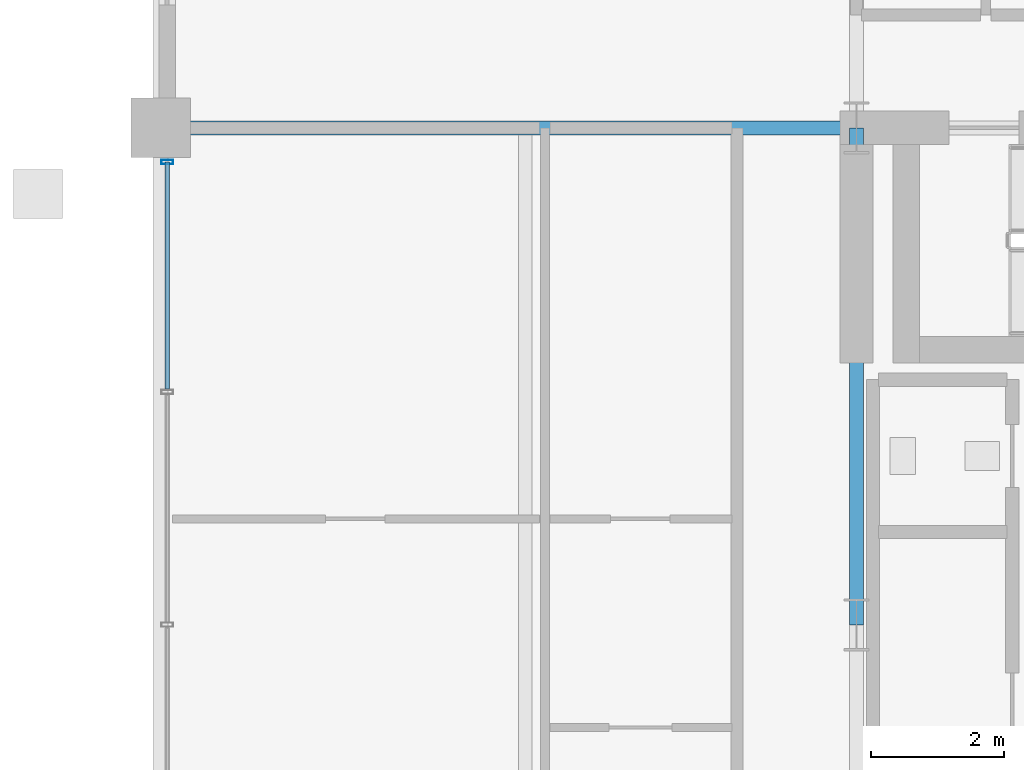
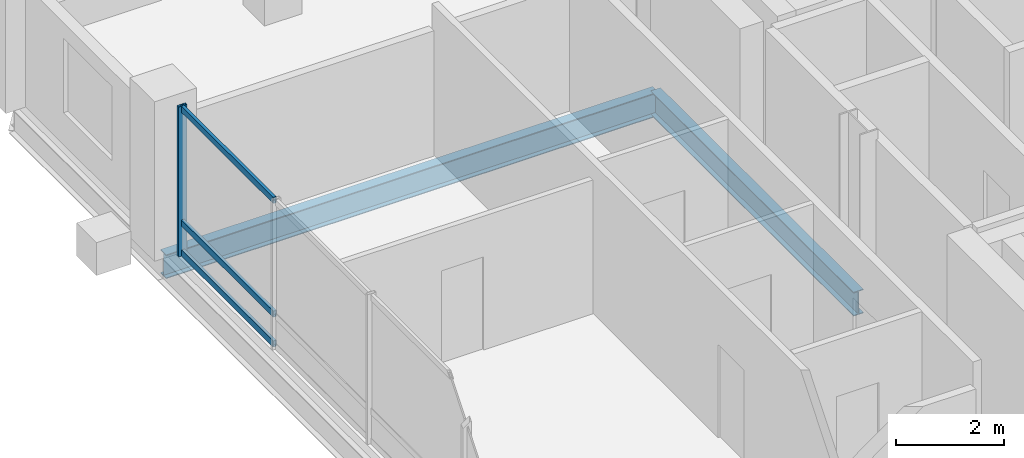
# One storey, part 8 of 21: 4 members, 2 beams, 1 element without a shape of its own.
"""IFC4 building model written with IfcOpenShell, lengths in metres."""

import ifcopenshell
import ifcopenshell.guid

model = None  # the IFC model being written
_history = None  # IfcOwnerHistory: only IFC2X3 demands one
_inside = {}  # id of a spatial element -> (the spatial element, [elements in it])
_under = {}  # id of a project, library or spatial element -> (it, [spatial elements below it])
_declared = {}  # id of a project -> (the project, [libraries it declares])
_typed = {}  # id of a type object -> (the type object, [elements of that type])
_made_of = {}  # id of a material, layer set ... -> (it, [elements and type objects made of it])


def new_model(schema):
    """Start an empty IFC model of exactly this schema.

    Asked for "IFC4X3", IfcOpenShell would pick the latest addendum, in which some entities
    have other attributes; the version numbers below select the first issue.
    IFC2X3 requires an IfcOwnerHistory on every rooted entity: one is made here for all.
    """
    global model, _history
    if schema == "IFC4X3":
        model = ifcopenshell.file(schema_version=(4, 3, 0, 0))
    else:
        model = ifcopenshell.file(schema=schema)
    _inside.clear()
    _under.clear()
    _declared.clear()
    _typed.clear()
    _made_of.clear()
    _history = None
    if model.schema == "IFC2X3":
        org = make("IfcOrganization", Name="unknown")
        user = make(
            "IfcPersonAndOrganization",
            ThePerson=make("IfcPerson", FamilyName="unknown"),
            TheOrganization=org,
        )
        app = make(
            "IfcApplication",
            ApplicationDeveloper=org,
            Version="unknown",
            ApplicationFullName="unknown",
            ApplicationIdentifier="unknown",
        )
        _history = make(
            "IfcOwnerHistory",
            OwningUser=user,
            OwningApplication=app,
            ChangeAction="ADDED",
            CreationDate=0,
        )
    return model


def make(cls, **values):
    """One entity of the class cls with the attributes given. An attribute that is None is left unset."""
    return model.create_entity(
        cls, **{name: value for name, value in values.items() if value is not None}
    )


def rooted(cls, **values):
    """An entity with a GlobalId (a new one), such as an element, a storey or a relation."""
    return make(cls, GlobalId=ifcopenshell.guid.new(), OwnerHistory=_history, **values)


def si_unit(unit_type, name, prefix=None):
    """IfcSIUnit, for example si_unit("LENGTHUNIT", "METRE", prefix="MILLI")."""
    return make("IfcSIUnit", UnitType=unit_type, Prefix=prefix, Name=name)


def assignment(units):
    """IfcUnitAssignment: the units of a project."""
    return None if units is None else make("IfcUnitAssignment", Units=units)


def point(xyz):
    """IfcCartesianPoint."""
    return None if xyz is None else make("IfcCartesianPoint", Coordinates=xyz)


def direction(xyz):
    """IfcDirection."""
    return None if xyz is None else make("IfcDirection", DirectionRatios=xyz)


def frame(location, z_axis=None, x_axis=None):
    """IfcAxis2Placement3D, a coordinate frame: its origin and axes. An axis left out is left unset."""
    return make(
        "IfcAxis2Placement3D",
        Location=point(location),
        Axis=direction(z_axis),
        RefDirection=direction(x_axis),
    )


def frame_2d(location, x_axis=None):
    """IfcAxis2Placement2D, a coordinate frame in the plane: its origin and x axis."""
    return make(
        "IfcAxis2Placement2D", Location=point(location), RefDirection=direction(x_axis)
    )


def origin():
    """The frame at (0, 0, 0) with its axes left unset."""
    return frame((0.0, 0.0, 0.0))


def origin_2d():
    """The frame at (0, 0) in the plane with its x axis left unset."""
    return frame_2d((0.0, 0.0))


def place(relative_to, where):
    """IfcLocalPlacement: puts the frame where relative to a parent placement (None: the world)."""
    return make(
        "IfcLocalPlacement", PlacementRelTo=relative_to, RelativePlacement=where
    )


def context(
    kind, dimensions, precision=None, world=None, true_north=None, identifier=None
):
    """IfcGeometricRepresentationContext, for example the 3D "Model" context."""
    return make(
        "IfcGeometricRepresentationContext",
        ContextIdentifier=identifier,
        ContextType=kind,
        CoordinateSpaceDimension=dimensions,
        Precision=precision,
        WorldCoordinateSystem=world,
        TrueNorth=true_north,
    )


def subcontext(parent, identifier, kind, view, scale=None):
    """IfcGeometricRepresentationSubContext, for example "Body" below "Model"."""
    return make(
        "IfcGeometricRepresentationSubContext",
        ContextIdentifier=identifier,
        ContextType=kind,
        ParentContext=parent,
        TargetScale=scale,
        TargetView=view,
    )


def project(units=None, contexts=None):
    """IfcProject with its units and contexts."""
    return rooted(
        "IfcProject",
        Name="project",
        RepresentationContexts=contexts,
        UnitsInContext=assignment(units),
    )


def spatial(cls, under=None, at=None, **own):
    """A site, building, storey or space (cls), placed at a placement, below another one or the project."""
    s = rooted(cls, ObjectPlacement=at, **own)
    if under is not None:
        _under.setdefault(under.id(), (under, []))[1].append(s)
    return s


def profile(cls, at=None, kind="AREA", **sizes):
    """A parametric profile (cls). Its sizes go by their IFC names, for example OverallWidth=200.0."""
    return make(cls, ProfileType=kind, Position=at, **sizes)


def hollow_rectangle(**sizes):
    """IfcRectangleHollowProfileDef."""
    return profile("IfcRectangleHollowProfileDef", **sizes)


def i_section(**sizes):
    """IfcIShapeProfileDef."""
    return profile("IfcIShapeProfileDef", **sizes)


def extrude(swept, where, along, depth):
    """IfcExtrudedAreaSolid: the profile swept, set in the frame where, extruded along a direction by depth."""
    return make(
        "IfcExtrudedAreaSolid",
        SweptArea=swept,
        Position=where,
        ExtrudedDirection=direction(along),
        Depth=depth,
    )


def shape(context_of_items, identifier, shape_type, items):
    """IfcShapeRepresentation: the items that make up one representation, for example the "Body"."""
    return make(
        "IfcShapeRepresentation",
        ContextOfItems=context_of_items,
        RepresentationIdentifier=identifier,
        RepresentationType=shape_type,
        Items=items,
    )


def material(Name=None, Category=None):
    """IfcMaterial."""
    return make("IfcMaterial", Name=Name, Category=Category)


def layer(
    of_material, thickness, ventilated=None, Name=None, Category=None, Priority=None
):
    """IfcMaterialLayer: one layer of a wall or slab, of a material (None: an air gap)."""
    return make(
        "IfcMaterialLayer",
        Material=of_material,
        LayerThickness=thickness,
        IsVentilated=ventilated,
        Name=Name,
        Category=Category,
        Priority=Priority,
    )


def layer_set(layers, Name=None):
    """IfcMaterialLayerSet."""
    return make("IfcMaterialLayerSet", MaterialLayers=layers, LayerSetName=Name)


def material_profile(
    of_material, cross_section, Name=None, Category=None, Priority=None
):
    """IfcMaterialProfile: a cross section and its material."""
    return make(
        "IfcMaterialProfile",
        Name=Name,
        Material=of_material,
        Profile=cross_section,
        Priority=Priority,
        Category=Category,
    )


def profile_set(profiles, Name=None, composite=None):
    """IfcMaterialProfileSet."""
    return make(
        "IfcMaterialProfileSet",
        Name=Name,
        MaterialProfiles=profiles,
        CompositeProfile=composite,
    )


def made_of(thing, what):
    """Note that an element or type object is made of a material, layer set ...; save() writes the relation."""
    if what is not None:
        _made_of.setdefault(what.id(), (what, []))[1].append(thing)
    return thing


def type_object(cls, material=None, **own):
    """A type object (cls), such as IfcWallType, which elements share."""
    return made_of(rooted(cls, **own), material)


def element(
    cls,
    number,
    at=None,
    inside=None,
    cuts=None,
    type_object=None,
    material=None,
    context=None,
    identifier="Body",
    shape_type=None,
    held_by="IfcProductDefinitionShape",
    body=None,
    shapes=None,
    **own,
):
    """One element of the class cls, such as IfcWall. Its Tag is "e" and its number.

    at: its placement. inside: the storey or other place that contains it. cuts: it is an
    opening in that element (IfcRelVoidsElement). A single representation is given by context,
    identifier, shape_type and body (its items); several are given by shapes. held_by: the class
    of the entity that holds the representations. save() writes the other relations.
    """
    e = rooted(cls, Tag="e%d" % number, ObjectPlacement=at, **own)
    if body is not None:
        shapes = [shape(context, identifier, shape_type, body)]
    if shapes is not None:
        e.Representation = make(held_by, Representations=shapes)
    if inside is not None:
        _inside.setdefault(inside.id(), (inside, []))[1].append(e)
    if cuts is not None:
        rooted(
            "IfcRelVoidsElement", RelatingBuildingElement=cuts, RelatedOpeningElement=e
        )
    if type_object is not None:
        _typed.setdefault(type_object.id(), (type_object, []))[1].append(e)
    return made_of(e, material)


def aggregate(whole, parts):
    """IfcRelAggregates: a whole, such as a stair, and the parts it consists of."""
    return rooted("IfcRelAggregates", RelatingObject=whole, RelatedObjects=parts)


def save(model, path):
    """Write the relations noted so far, then the file.

    IfcRelAggregates (storeys below a building ...), IfcRelContainedInSpatialStructure (elements
    in a storey), IfcRelDefinesByType, IfcRelAssociatesMaterial and IfcRelDeclares: one each for
    every whole, place, type object, material and project.
    """
    for whole, parts in _under.values():
        aggregate(whole, parts)
    for where, things in _inside.values():
        rooted(
            "IfcRelContainedInSpatialStructure",
            RelatedElements=things,
            RelatingStructure=where,
        )
    for kind, things in _typed.values():
        rooted("IfcRelDefinesByType", RelatedObjects=things, RelatingType=kind)
    for what, things in _made_of.values():
        rooted("IfcRelAssociatesMaterial", RelatedObjects=things, RelatingMaterial=what)
    for by, libraries in _declared.values():
        rooted("IfcRelDeclares", RelatingContext=by, RelatedDefinitions=libraries)
    model.write(path)


model = new_model("IFC4")

# Units and contexts
model_context = context("Model", 3, precision=1e-05, world=origin(), true_north=direction((0.0, 1.0)))
body_context = subcontext(model_context, "Body", "Model", "MODEL_VIEW")
ifc_project = project(units=[si_unit("LENGTHUNIT", "METRE"), si_unit("AREAUNIT", "SQUARE_METRE"), si_unit("VOLUMEUNIT", "CUBIC_METRE"), si_unit("PLANEANGLEUNIT", "RADIAN"), si_unit("MASSUNIT", "GRAM", prefix="KILO")], contexts=[model_context])

# Site, building, storey
site_placement = place(None, origin())
site = spatial("IfcSite", under=ifc_project, at=site_placement, CompositionType="ELEMENT")
building_placement = place(site_placement, origin())
building = spatial("IfcBuilding", under=site, at=building_placement, Name="Barlavira Tower and Art Museum", CompositionType="ELEMENT")
storey_placement = place(building_placement, frame((0.0, 0.0, 222.300048828125)))
storey = spatial("IfcBuildingStorey", under=building, at=storey_placement, Name="L57", CompositionType="ELEMENT", Elevation=222.300048828125)

# Curtain wall, members
ifc_material_1 = material(Name="Low-iron coastal laminated glass", Category="glass")
ifc_layer = layer(ifc_material_1, 0.2099609375, Name="Low-iron coastal laminated glass")
ifc_layer_set = layer_set([ifc_layer], Name="Low-iron coastal laminated glass")
curtain_wall_type = type_object("IfcCurtainWallType", Name="Pale-Metal Unitised Curtain Wall Zone 4", PredefinedType="NOTDEFINED", material=ifc_layer_set)
curtain_wall_placement = place(storey_placement, origin())
curtain_wall = element("IfcCurtainWall", 1, at=curtain_wall_placement, inside=storey, type_object=curtain_wall_type, Name="L57 Curtain Wall CW4-L57-W-B3", PredefinedType="NOTDEFINED")
ifc_material_2 = material(Name="Pale anodised aluminium", Category="aluminium")
ifc_material_profile_1 = material_profile(ifc_material_2, hollow_rectangle(XDim=0.06494140625, YDim=0.179931640625, WallThickness=0.00390625, at=origin_2d()), Name="ALU-MULL 65x180x4")
ifc_profile_set_1 = profile_set([ifc_material_profile_1], Name="Pale anodised aluminium")
member_type_1 = type_object("IfcMemberType", Name="Curtain Wall Pale-Metal Mullion 65x180", PredefinedType="MULLION", material=ifc_profile_set_1)
member_1_placement = place(storey_placement, frame((-16.89990234375, 6.985107421875, 0.0), z_axis=(0.0, 0.0, 1.0), x_axis=(0.0, -1.0, 0.0)))
member_1 = element("IfcMember", 2, at=member_1_placement, type_object=member_type_1, Name="CW4-L57-W-B3 Mullion 0", PredefinedType="MULLION", context=body_context, shape_type="SweptSolid", body=[
    extrude(hollow_rectangle(XDim=0.06494140625, YDim=0.179931640625, WallThickness=0.00390625, at=origin_2d()), origin(), (0.0, 0.0, 1.0), 3.3798828125),
])
ifc_material_profile_2 = material_profile(ifc_material_2, hollow_rectangle(XDim=0.06494140625, YDim=0.139892578125, WallThickness=0.00390625, at=origin_2d()), Name="ALU-TRAN 65x140x4")
ifc_profile_set_2 = profile_set([ifc_material_profile_2], Name="Pale anodised aluminium")
member_type_2 = type_object("IfcMemberType", Name="Curtain Wall Pale-Metal Transom 65x140", PredefinedType="USERDEFINED", material=ifc_profile_set_2)
member_2_placement = place(storey_placement, frame((-16.89990234375, 6.985107421875, 0.070068359375), z_axis=(0.0, -1.0, 0.0), x_axis=(1.0, 0.0, 0.0)))
member_2 = element("IfcMember", 3, at=member_2_placement, type_object=member_type_2, Name="CW4-L57-W-B3 Transom 0.1", ObjectType="TRANSOM", PredefinedType="USERDEFINED", context=body_context, shape_type="SweptSolid", body=[
    extrude(hollow_rectangle(XDim=0.06494140625, YDim=0.139892578125, WallThickness=0.00390625, at=origin_2d()), origin(), (0.0, 0.0, 1.0), 3.425048828125),
])
member_3_placement = place(storey_placement, frame((-16.89990234375, 6.985107421875, 0.743896484375), z_axis=(0.0, -1.0, 0.0), x_axis=(1.0, 0.0, 0.0)))
member_3 = element("IfcMember", 4, at=member_3_placement, type_object=member_type_2, Name="CW4-L57-W-B3 Transom 0.2", ObjectType="TRANSOM", PredefinedType="USERDEFINED", context=body_context, shape_type="SweptSolid", body=[
    extrude(hollow_rectangle(XDim=0.06494140625, YDim=0.139892578125, WallThickness=0.00390625, at=origin_2d()), origin(), (0.0, 0.0, 1.0), 3.425048828125),
])
member_4_placement = place(storey_placement, frame((-16.89990234375, 6.985107421875, 3.31005859375), z_axis=(0.0, -1.0, 0.0), x_axis=(1.0, 0.0, 0.0)))
member_4 = element("IfcMember", 5, at=member_4_placement, type_object=member_type_2, Name="CW4-L57-W-B3 Transom 0.3", ObjectType="TRANSOM", PredefinedType="USERDEFINED", context=body_context, shape_type="SweptSolid", body=[
    extrude(hollow_rectangle(XDim=0.06494140625, YDim=0.139892578125, WallThickness=0.00390625, at=origin_2d()), origin(), (0.0, 0.0, 1.0), 3.425048828125),
])
aggregate(curtain_wall, [member_1, member_2, member_3, member_4])

# Beams
ifc_material_3 = material(Name="Steel S355", Category="steel")
ifc_material_profile_3 = material_profile(ifc_material_3, i_section(OverallWidth=0.2109375, OverallDepth=0.5390625, WebThickness=0.01171875, FlangeThickness=0.018798828125, at=origin_2d()), Name="W530x109.0")
ifc_profile_set_3 = profile_set([ifc_material_profile_3], Name="Steel S355")
beam_type = type_object("IfcBeamType", Name="Zone 3-4 Primary Floor Girder W530x109 Steel S355", PredefinedType="BEAM", material=ifc_profile_set_3)
beam_1_placement = place(storey_placement, frame((-6.5, 0.0, -0.489501953125), z_axis=(0.0, 1.0, 0.0), x_axis=(-1.0, 0.0, 0.0)))
element("IfcBeam", 6, at=beam_1_placement, inside=storey, type_object=beam_type, Name="L57 Girder C-W2", PredefinedType="BEAM", context=body_context, shape_type="SweptSolid", body=[
    extrude(i_section(OverallWidth=0.2109375, OverallDepth=0.5390625, WebThickness=0.01171875, FlangeThickness=0.018798828125, at=origin_2d()), origin(), (0.0, 0.0, 1.0), 7.5),
])
beam_2_placement = place(storey_placement, frame((-17.0, 7.5, -0.489501953125), z_axis=(1.0, 0.0, 0.0), x_axis=(0.0, 1.0, 0.0)))
element("IfcBeam", 7, at=beam_2_placement, inside=storey, type_object=beam_type, Name="L57 Girder R-W2", PredefinedType="BEAM", context=body_context, shape_type="SweptSolid", body=[
    extrude(i_section(OverallWidth=0.2109375, OverallDepth=0.5390625, WebThickness=0.01171875, FlangeThickness=0.018798828125, at=origin_2d()), origin(), (0.0, 0.0, 1.0), 10.5),
])

save(model, "model.ifc")
